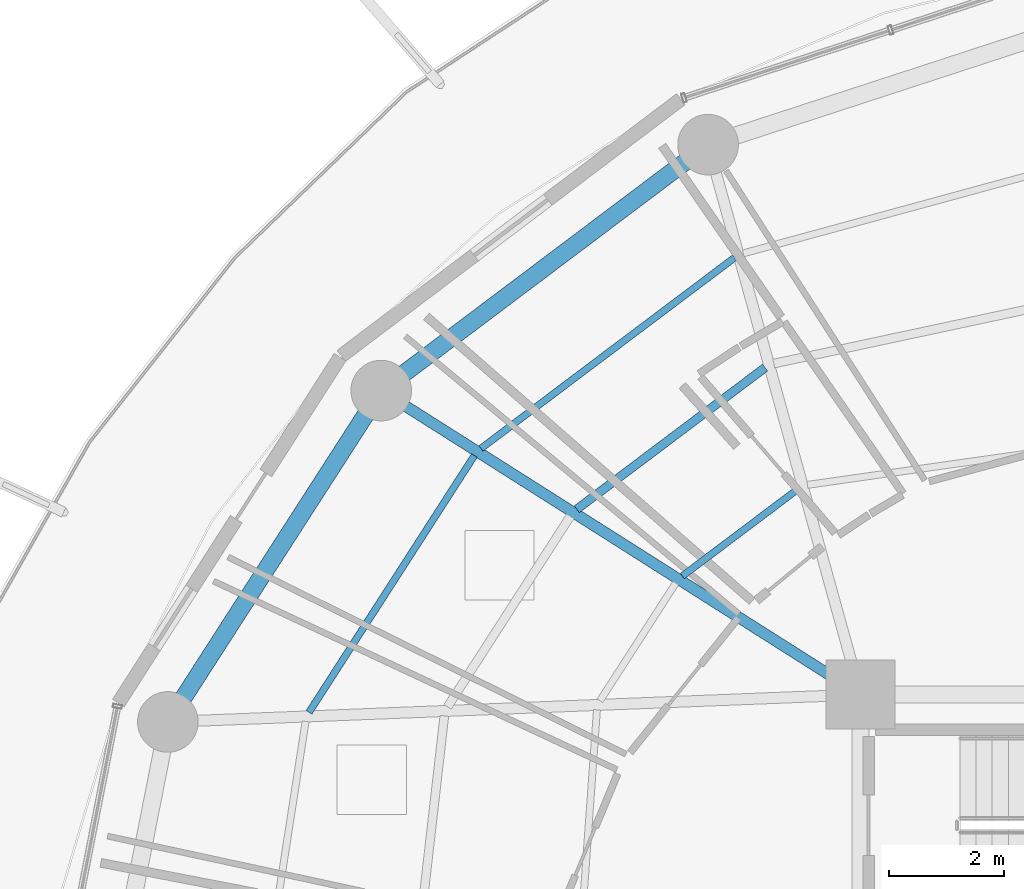
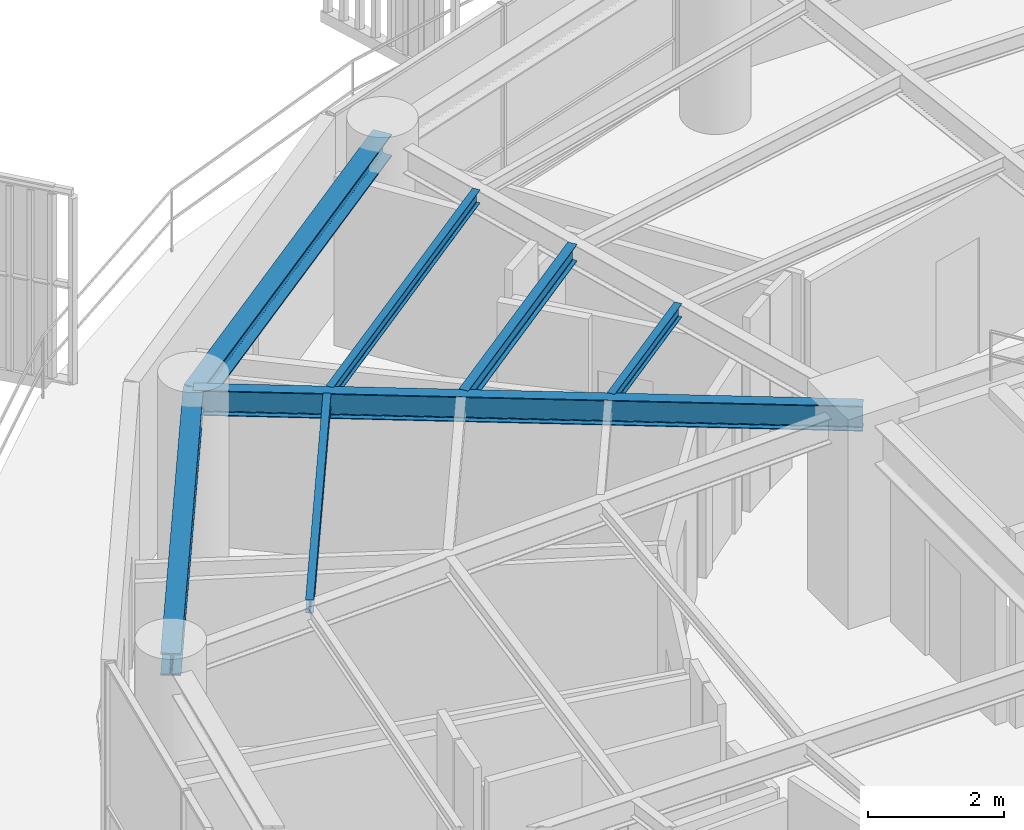
# One storey, part 16 of 30: 7 beams.
"""IFC4 building model written with IfcOpenShell, lengths in metres."""

from ifc_helpers import new_model, si_unit, direction, frame, origin, origin_2d, place, context, subcontext, project, spatial, i_section, extrude, material, material_profile, profile_set, type_object, element, save


model = new_model("IFC4")

# Units and contexts
model_context = context("Model", 3, precision=1e-05, world=origin(), true_north=direction((0.0, 1.0)))
body_context = subcontext(model_context, "Body", "Model", "MODEL_VIEW")
ifc_project = project(units=[si_unit("LENGTHUNIT", "METRE"), si_unit("AREAUNIT", "SQUARE_METRE"), si_unit("VOLUMEUNIT", "CUBIC_METRE"), si_unit("PLANEANGLEUNIT", "RADIAN"), si_unit("MASSUNIT", "GRAM", prefix="KILO")], contexts=[model_context])

# Site, building, storey
site_placement = place(None, origin())
site = spatial("IfcSite", under=ifc_project, at=site_placement, CompositionType="ELEMENT")
building_placement = place(site_placement, origin())
building = spatial("IfcBuilding", under=site, at=building_placement, Name="Kelanora Arch Commons", CompositionType="ELEMENT")
storey_placement = place(building_placement, frame((0.0, 0.0, 204.449951171875)))
storey = spatial("IfcBuildingStorey", under=building, at=storey_placement, Name="L52", CompositionType="ELEMENT", Elevation=204.449951171875)

# Beams
ifc_material = material(Name="Steel S355", Category="steel")
ifc_material_profile_1 = material_profile(ifc_material, i_section(OverallWidth=0.14990234375, OverallDepth=0.300048828125, WebThickness=0.007080078125, FlangeThickness=0.0107421875, FilletRadius=0.014892578125, at=origin_2d()), Name="IPE300")
ifc_profile_set_1 = profile_set([ifc_material_profile_1], Name="Steel S355")
beam_type_1 = type_object("IfcBeamType", Name="BM-JST-01", PredefinedType="JOIST", material=ifc_profile_set_1)
beam_1_placement = place(storey_placement, frame((64.34814453125, 70.6630859375, 3.340087890625), z_axis=(-0.799101708656, -0.601195857624, 0.0), x_axis=(0.601195857624, -0.799101708656, 0.0)))
element("IfcBeam", 1, at=beam_1_placement, inside=storey, type_object=beam_type_1, Name="Secondary Chord Joist BJB-12 L52", PredefinedType="JOIST", context=body_context, shape_type="SweptSolid", body=[
    extrude(i_section(OverallWidth=0.14990234375, OverallDepth=0.300048828125, WebThickness=0.007080078125, FlangeThickness=0.0107421875, FilletRadius=0.014892578125, at=origin_2d()), origin(), (0.0, 0.0, 1.0), 4.080810546875),
])
ifc_material_profile_2 = material_profile(ifc_material, i_section(OverallWidth=0.1201171875, OverallDepth=0.239990234375, WebThickness=0.006103515625, FlangeThickness=0.009765625, FilletRadius=0.014892578125, at=origin_2d()), Name="IPE240")
ifc_profile_set_2 = profile_set([ifc_material_profile_2], Name="Steel S355")
beam_type_2 = type_object("IfcBeamType", Name="BM-JST-02", PredefinedType="JOIST", material=ifc_profile_set_2)
beam_2_placement = place(storey_placement, frame((64.928955078125, 68.56787109375, 3.3701171875), z_axis=(-0.79911638933, -0.601176343766, 0.0), x_axis=(0.601176343766, -0.79911638933, 0.0)))
element("IfcBeam", 2, at=beam_2_placement, inside=storey, type_object=beam_type_2, Name="Secondary Chord Joist BJA-12 L52", PredefinedType="JOIST", context=body_context, shape_type="SweptSolid", body=[
    extrude(i_section(OverallWidth=0.1201171875, OverallDepth=0.239990234375, WebThickness=0.006103515625, FlangeThickness=0.009765625, FilletRadius=0.014892578125, at=origin_2d()), origin(), (0.0, 0.0, 1.0), 2.522216796875),
])
beam_3_placement = place(storey_placement, frame((63.820068359375, 72.56787109375, 3.3701171875), z_axis=(-0.799109197935, -0.601185902842, 0.0), x_axis=(0.601185902842, -0.799109197935, 0.0)))
element("IfcBeam", 3, at=beam_3_placement, inside=storey, type_object=beam_type_2, Name="Secondary Chord Joist BJC-12 L52", PredefinedType="JOIST", context=body_context, shape_type="SweptSolid", body=[
    extrude(i_section(OverallWidth=0.1201171875, OverallDepth=0.239990234375, WebThickness=0.006103515625, FlangeThickness=0.009765625, FilletRadius=0.014892578125, at=origin_2d()), origin(), (0.0, 0.0, 1.0), 5.497802734375),
])
beam_4_placement = place(storey_placement, frame((59.31298828125, 69.14013671875, 3.3701171875), z_axis=(-0.541382492679, -0.840776424872, 0.0), x_axis=(0.840776424872, -0.541382492679, 0.0)))
element("IfcBeam", 4, at=beam_4_placement, inside=storey, type_object=beam_type_2, Name="Secondary Chord Joist BJC-14 L52", PredefinedType="JOIST", context=body_context, shape_type="SweptSolid", body=[
    extrude(i_section(OverallWidth=0.1201171875, OverallDepth=0.239990234375, WebThickness=0.006103515625, FlangeThickness=0.009765625, FilletRadius=0.014892578125, at=origin_2d()), origin(), (0.0, 0.0, 1.0), 5.29052734375),
])
ifc_material_profile_3 = material_profile(ifc_material, i_section(OverallWidth=0.18994140625, OverallDepth=0.449951171875, WebThickness=0.009521484375, FlangeThickness=0.0146484375, FilletRadius=0.02099609375, at=origin_2d()), Name="IPE450")
ifc_profile_set_3 = profile_set([ifc_material_profile_3], Name="Steel S355")
beam_type_3 = type_object("IfcBeamType", Name="BM-RAD-Z4", PredefinedType="BEAM", material=ifc_profile_set_3)
beam_5_placement = place(storey_placement, frame((66.0, 65.0, 3.26513671875), z_axis=(-0.844507208607, 0.535544185489, 0.0), x_axis=(-0.535544185489, -0.844507208607, 0.0)))
element("IfcBeam", 5, at=beam_5_placement, inside=storey, type_object=beam_type_3, Name="Radial Floor Girder BR-14 L52", PredefinedType="BEAM", context=body_context, shape_type="SweptSolid", body=[
    extrude(i_section(OverallWidth=0.18994140625, OverallDepth=0.449951171875, WebThickness=0.009521484375, FlangeThickness=0.0146484375, FilletRadius=0.02099609375, at=origin_2d()), origin(), (0.0, 0.0, 1.0), 9.830078125),
])
ifc_material_profile_4 = material_profile(ifc_material, i_section(OverallWidth=0.300048828125, OverallDepth=0.39990234375, WebThickness=0.013427734375, FlangeThickness=0.02392578125, FilletRadius=0.027099609375, at=origin_2d()), Name="HEB400")
ifc_profile_set_4 = profile_set([ifc_material_profile_4], Name="Steel S355")
beam_type_4 = type_object("IfcBeamType", Name="BM-SPN-Z4", PredefinedType="SPANDREL", material=ifc_profile_set_4)
beam_6_placement = place(storey_placement, frame((63.360107421875, 74.523681640625, 3.2900390625), z_axis=(-0.799114211715, -0.60117923836, 0.0), x_axis=(0.60117923836, -0.799114211715, 0.0)))
element("IfcBeam", 6, at=beam_6_placement, inside=storey, type_object=beam_type_4, Name="Perimeter Spandrel Beam BS-12 L52", PredefinedType="SPANDREL", context=body_context, shape_type="SweptSolid", body=[
    extrude(i_section(OverallWidth=0.300048828125, OverallDepth=0.39990234375, WebThickness=0.013427734375, FlangeThickness=0.02392578125, FilletRadius=0.027099609375, at=origin_2d()), origin(), (0.0, 0.0, 1.0), 7.0849609375),
])
beam_7_placement = place(storey_placement, frame((57.698486328125, 70.264404296875, 3.2900390625), z_axis=(-0.541364878868, -0.840787766281, 0.0), x_axis=(0.840787766281, -0.541364878868, 0.0)))
element("IfcBeam", 7, at=beam_7_placement, inside=storey, type_object=beam_type_4, Name="Perimeter Spandrel Beam BS-14 L52", PredefinedType="SPANDREL", context=body_context, shape_type="SweptSolid", body=[
    extrude(i_section(OverallWidth=0.300048828125, OverallDepth=0.39990234375, WebThickness=0.013427734375, FlangeThickness=0.02392578125, FilletRadius=0.027099609375, at=origin_2d()), origin(), (0.0, 0.0, 1.0), 6.825439453125),
])

save(model, "model.ifc")
